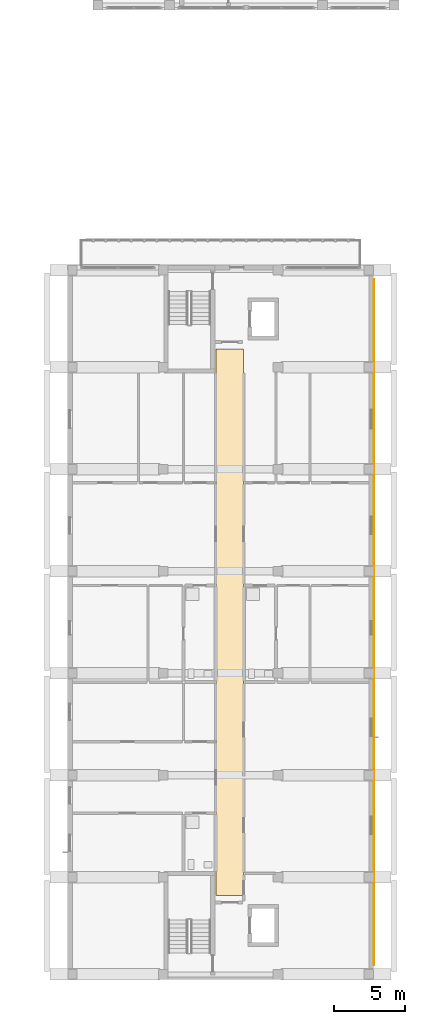
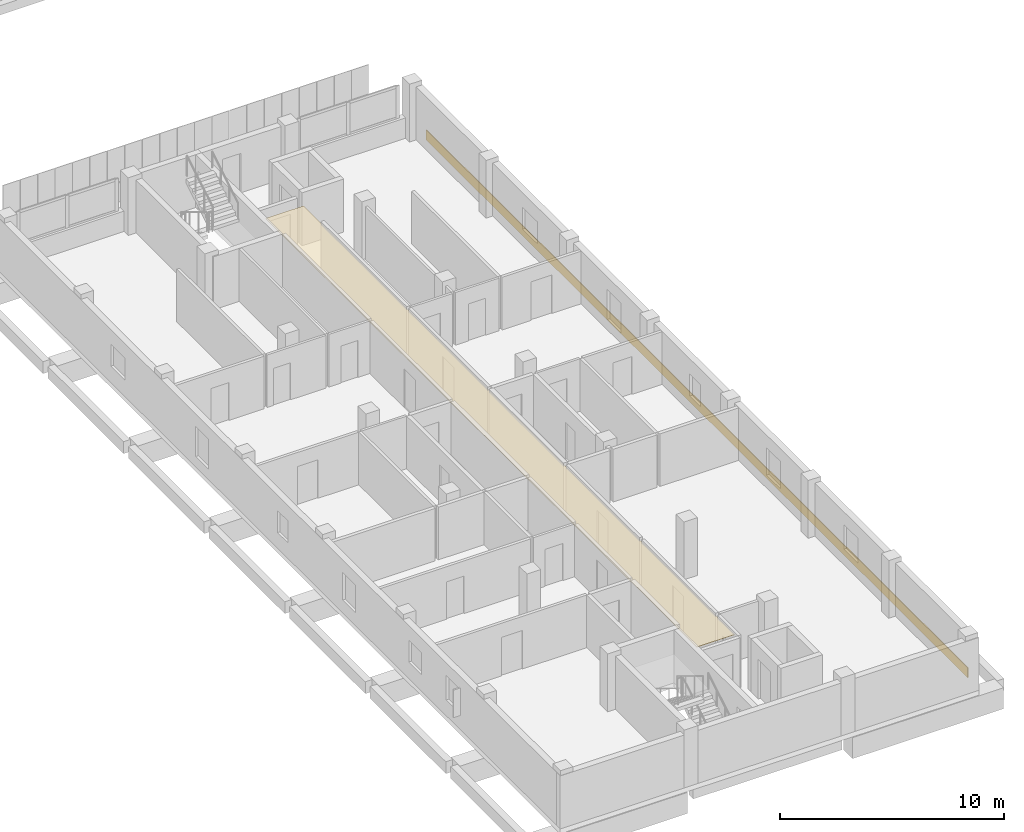
# One storey, part 46 of 51: 2 coverings.
"""IFC4 building model written with IfcOpenShell, lengths in metres."""

from ifc_helpers import new_model, si_unit, derived_unit, direction, frame, origin, origin_2d, place, context, subcontext, project, spatial, polyline, rectangle, outline, extrude, material, layer, layer_set, type_object, element, save


model = new_model("IFC4")

# Units and contexts
model_context = context("Model", 3, precision=1e-05, world=origin(), true_north=direction((0.0, 1.0)))
body_context = subcontext(model_context, "Body", "Model", "MODEL_VIEW")
ifc_project = project(units=[si_unit("LENGTHUNIT", "METRE"), si_unit("AREAUNIT", "SQUARE_METRE"), si_unit("VOLUMEUNIT", "CUBIC_METRE"), si_unit("PLANEANGLEUNIT", "RADIAN"), si_unit("MASSUNIT", "GRAM", prefix="KILO"), derived_unit("THERMALTRANSMITTANCEUNIT", [(si_unit("MASSUNIT", "GRAM", prefix="KILO"), 1), (si_unit("TIMEUNIT", "SECOND"), -3), (si_unit("THERMODYNAMICTEMPERATUREUNIT", "KELVIN"), -1)])], contexts=[model_context])

# Site, building, storey
site_placement = place(None, origin())
site = spatial("IfcSite", under=ifc_project, at=site_placement, CompositionType="ELEMENT")
building_placement = place(site_placement, origin())
building = spatial("IfcBuilding", under=site, at=building_placement, Name="Ochrekiln Boulevard Commons", CompositionType="ELEMENT")
storey_placement = place(building_placement, frame((0.0, 0.0, 18.375)))
storey = spatial("IfcBuildingStorey", under=building, at=storey_placement, Name="L05", CompositionType="ELEMENT", Elevation=18.375)

# Coverings
ifc_material_1 = material(Name="Mineral-fibre acoustic ceiling tile")
ifc_layer_1 = layer(ifc_material_1, 0.02490234375)
ifc_layer_set_1 = layer_set([ifc_layer_1], Name="Mineral-fibre acoustic ceiling tile")
covering_type_1 = type_object("IfcCoveringType", Name="COV-CEIL-AC", PredefinedType="CEILING", material=ifc_layer_set_1)
covering_1_placement = place(storey_placement, frame((0.0, 0.0, 2.64990234375)))
element("IfcCovering", 1, at=covering_1_placement, inside=storey, type_object=covering_type_1, Name="L05 Acoustic Corridor Ceiling 49", PredefinedType="CEILING", context=body_context, shape_type="SweptSolid", body=[
    extrude(outline(polyline([(159.8701171875, 5.919921875), (161.830078125, 5.919921875), (161.830078125, 44.47998046875), (159.8701171875, 44.47998046875), (159.8701171875, 5.919921875)])), origin(), (0.0, 0.0, 1.0), 0.025146484375),
])
ifc_material_2 = material(Name="Glazed architectural terracotta ASTM C1405", Category="masonry")
ifc_layer_2 = layer(ifc_material_2, 0.0400390625)
ifc_layer_set_2 = layer_set([ifc_layer_2], Name="Glazed architectural terracotta ASTM C1405")
covering_type_2 = type_object("IfcCoveringType", Name="COV-CLAD-TERRA", PredefinedType="CLADDING", material=ifc_layer_set_2)
covering_2_placement = place(storey_placement, frame((171.02001953125, 25.199951171875, 0.0751953125), z_axis=(0.0, 0.0, 1.0), x_axis=(1.0, 0.0, 0.0)))
element("IfcCovering", 2, at=covering_2_placement, inside=storey, type_object=covering_type_2, Name="Block C L05 Glazed Terracotta Spandrel Band", PredefinedType="CLADDING", context=body_context, shape_type="SweptSolid", body=[
    extrude(rectangle(XDim=0.0400390625, YDim=48.39990234375, at=origin_2d()), origin(), (0.0, 0.0, 1.0), 0.550048828125),
])

save(model, "model.ifc")
